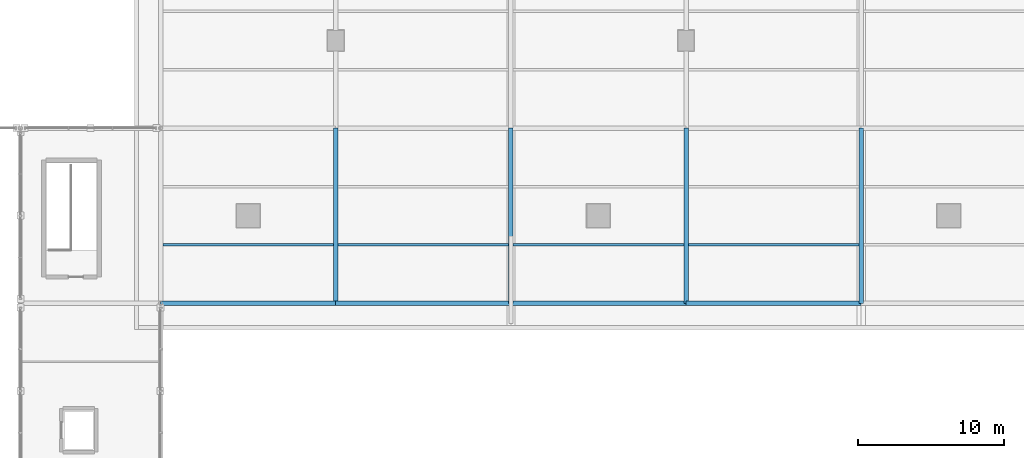
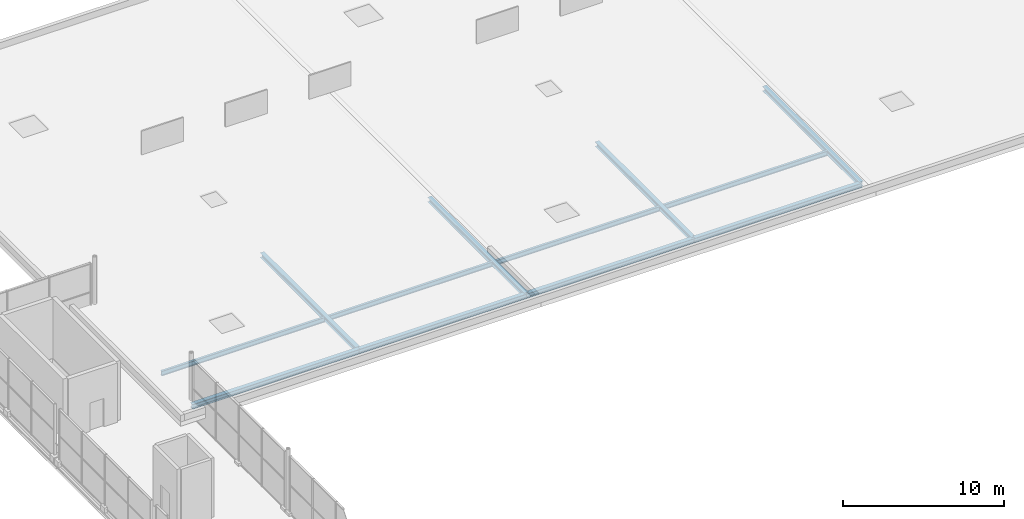
# One storey, part 94 of 159: 12 beams.
"""IFC4 building model written with IfcOpenShell, lengths in metres."""

import ifcopenshell
import ifcopenshell.guid

model = None  # the IFC model being written
_history = None  # IfcOwnerHistory: only IFC2X3 demands one
_inside = {}  # id of a spatial element -> (the spatial element, [elements in it])
_under = {}  # id of a project, library or spatial element -> (it, [spatial elements below it])
_declared = {}  # id of a project -> (the project, [libraries it declares])
_typed = {}  # id of a type object -> (the type object, [elements of that type])
_made_of = {}  # id of a material, layer set ... -> (it, [elements and type objects made of it])


def new_model(schema):
    """Start an empty IFC model of exactly this schema.

    Asked for "IFC4X3", IfcOpenShell would pick the latest addendum, in which some entities
    have other attributes; the version numbers below select the first issue.
    IFC2X3 requires an IfcOwnerHistory on every rooted entity: one is made here for all.
    """
    global model, _history
    if schema == "IFC4X3":
        model = ifcopenshell.file(schema_version=(4, 3, 0, 0))
    else:
        model = ifcopenshell.file(schema=schema)
    _inside.clear()
    _under.clear()
    _declared.clear()
    _typed.clear()
    _made_of.clear()
    _history = None
    if model.schema == "IFC2X3":
        org = make("IfcOrganization", Name="unknown")
        user = make(
            "IfcPersonAndOrganization",
            ThePerson=make("IfcPerson", FamilyName="unknown"),
            TheOrganization=org,
        )
        app = make(
            "IfcApplication",
            ApplicationDeveloper=org,
            Version="unknown",
            ApplicationFullName="unknown",
            ApplicationIdentifier="unknown",
        )
        _history = make(
            "IfcOwnerHistory",
            OwningUser=user,
            OwningApplication=app,
            ChangeAction="ADDED",
            CreationDate=0,
        )
    return model


def make(cls, **values):
    """One entity of the class cls with the attributes given. An attribute that is None is left unset."""
    return model.create_entity(
        cls, **{name: value for name, value in values.items() if value is not None}
    )


def rooted(cls, **values):
    """An entity with a GlobalId (a new one), such as an element, a storey or a relation."""
    return make(cls, GlobalId=ifcopenshell.guid.new(), OwnerHistory=_history, **values)


def si_unit(unit_type, name, prefix=None):
    """IfcSIUnit, for example si_unit("LENGTHUNIT", "METRE", prefix="MILLI")."""
    return make("IfcSIUnit", UnitType=unit_type, Prefix=prefix, Name=name)


def assignment(units):
    """IfcUnitAssignment: the units of a project."""
    return None if units is None else make("IfcUnitAssignment", Units=units)


def point(xyz):
    """IfcCartesianPoint."""
    return None if xyz is None else make("IfcCartesianPoint", Coordinates=xyz)


def direction(xyz):
    """IfcDirection."""
    return None if xyz is None else make("IfcDirection", DirectionRatios=xyz)


def frame(location, z_axis=None, x_axis=None):
    """IfcAxis2Placement3D, a coordinate frame: its origin and axes. An axis left out is left unset."""
    return make(
        "IfcAxis2Placement3D",
        Location=point(location),
        Axis=direction(z_axis),
        RefDirection=direction(x_axis),
    )


def frame_2d(location, x_axis=None):
    """IfcAxis2Placement2D, a coordinate frame in the plane: its origin and x axis."""
    return make(
        "IfcAxis2Placement2D", Location=point(location), RefDirection=direction(x_axis)
    )


def origin():
    """The frame at (0, 0, 0) with its axes left unset."""
    return frame((0.0, 0.0, 0.0))


def origin_2d():
    """The frame at (0, 0) in the plane with its x axis left unset."""
    return frame_2d((0.0, 0.0))


def place(relative_to, where):
    """IfcLocalPlacement: puts the frame where relative to a parent placement (None: the world)."""
    return make(
        "IfcLocalPlacement", PlacementRelTo=relative_to, RelativePlacement=where
    )


def context(
    kind, dimensions, precision=None, world=None, true_north=None, identifier=None
):
    """IfcGeometricRepresentationContext, for example the 3D "Model" context."""
    return make(
        "IfcGeometricRepresentationContext",
        ContextIdentifier=identifier,
        ContextType=kind,
        CoordinateSpaceDimension=dimensions,
        Precision=precision,
        WorldCoordinateSystem=world,
        TrueNorth=true_north,
    )


def subcontext(parent, identifier, kind, view, scale=None):
    """IfcGeometricRepresentationSubContext, for example "Body" below "Model"."""
    return make(
        "IfcGeometricRepresentationSubContext",
        ContextIdentifier=identifier,
        ContextType=kind,
        ParentContext=parent,
        TargetScale=scale,
        TargetView=view,
    )


def project(units=None, contexts=None):
    """IfcProject with its units and contexts."""
    return rooted(
        "IfcProject",
        Name="project",
        RepresentationContexts=contexts,
        UnitsInContext=assignment(units),
    )


def spatial(cls, under=None, at=None, **own):
    """A site, building, storey or space (cls), placed at a placement, below another one or the project."""
    s = rooted(cls, ObjectPlacement=at, **own)
    if under is not None:
        _under.setdefault(under.id(), (under, []))[1].append(s)
    return s


def profile(cls, at=None, kind="AREA", **sizes):
    """A parametric profile (cls). Its sizes go by their IFC names, for example OverallWidth=200.0."""
    return make(cls, ProfileType=kind, Position=at, **sizes)


def i_section(**sizes):
    """IfcIShapeProfileDef."""
    return profile("IfcIShapeProfileDef", **sizes)


def extrude(swept, where, along, depth):
    """IfcExtrudedAreaSolid: the profile swept, set in the frame where, extruded along a direction by depth."""
    return make(
        "IfcExtrudedAreaSolid",
        SweptArea=swept,
        Position=where,
        ExtrudedDirection=direction(along),
        Depth=depth,
    )


def shape(context_of_items, identifier, shape_type, items):
    """IfcShapeRepresentation: the items that make up one representation, for example the "Body"."""
    return make(
        "IfcShapeRepresentation",
        ContextOfItems=context_of_items,
        RepresentationIdentifier=identifier,
        RepresentationType=shape_type,
        Items=items,
    )


def material(Name=None, Category=None):
    """IfcMaterial."""
    return make("IfcMaterial", Name=Name, Category=Category)


def material_profile(
    of_material, cross_section, Name=None, Category=None, Priority=None
):
    """IfcMaterialProfile: a cross section and its material."""
    return make(
        "IfcMaterialProfile",
        Name=Name,
        Material=of_material,
        Profile=cross_section,
        Priority=Priority,
        Category=Category,
    )


def profile_set(profiles, Name=None, composite=None):
    """IfcMaterialProfileSet."""
    return make(
        "IfcMaterialProfileSet",
        Name=Name,
        MaterialProfiles=profiles,
        CompositeProfile=composite,
    )


def made_of(thing, what):
    """Note that an element or type object is made of a material, layer set ...; save() writes the relation."""
    if what is not None:
        _made_of.setdefault(what.id(), (what, []))[1].append(thing)
    return thing


def type_object(cls, material=None, **own):
    """A type object (cls), such as IfcWallType, which elements share."""
    return made_of(rooted(cls, **own), material)


def element(
    cls,
    number,
    at=None,
    inside=None,
    cuts=None,
    type_object=None,
    material=None,
    context=None,
    identifier="Body",
    shape_type=None,
    held_by="IfcProductDefinitionShape",
    body=None,
    shapes=None,
    **own,
):
    """One element of the class cls, such as IfcWall. Its Tag is "e" and its number.

    at: its placement. inside: the storey or other place that contains it. cuts: it is an
    opening in that element (IfcRelVoidsElement). A single representation is given by context,
    identifier, shape_type and body (its items); several are given by shapes. held_by: the class
    of the entity that holds the representations. save() writes the other relations.
    """
    e = rooted(cls, Tag="e%d" % number, ObjectPlacement=at, **own)
    if body is not None:
        shapes = [shape(context, identifier, shape_type, body)]
    if shapes is not None:
        e.Representation = make(held_by, Representations=shapes)
    if inside is not None:
        _inside.setdefault(inside.id(), (inside, []))[1].append(e)
    if cuts is not None:
        rooted(
            "IfcRelVoidsElement", RelatingBuildingElement=cuts, RelatedOpeningElement=e
        )
    if type_object is not None:
        _typed.setdefault(type_object.id(), (type_object, []))[1].append(e)
    return made_of(e, material)


def aggregate(whole, parts):
    """IfcRelAggregates: a whole, such as a stair, and the parts it consists of."""
    return rooted("IfcRelAggregates", RelatingObject=whole, RelatedObjects=parts)


def save(model, path):
    """Write the relations noted so far, then the file.

    IfcRelAggregates (storeys below a building ...), IfcRelContainedInSpatialStructure (elements
    in a storey), IfcRelDefinesByType, IfcRelAssociatesMaterial and IfcRelDeclares: one each for
    every whole, place, type object, material and project.
    """
    for whole, parts in _under.values():
        aggregate(whole, parts)
    for where, things in _inside.values():
        rooted(
            "IfcRelContainedInSpatialStructure",
            RelatedElements=things,
            RelatingStructure=where,
        )
    for kind, things in _typed.values():
        rooted("IfcRelDefinesByType", RelatedObjects=things, RelatingType=kind)
    for what, things in _made_of.values():
        rooted("IfcRelAssociatesMaterial", RelatedObjects=things, RelatingMaterial=what)
    for by, libraries in _declared.values():
        rooted("IfcRelDeclares", RelatingContext=by, RelatedDefinitions=libraries)
    model.write(path)


model = new_model("IFC4")

# Units and contexts
model_context = context("Model", 3, precision=1e-05, world=origin(), true_north=direction((0.0, 1.0)))
body_context = subcontext(model_context, "Body", "Model", "MODEL_VIEW")
ifc_project = project(units=[si_unit("LENGTHUNIT", "METRE"), si_unit("AREAUNIT", "SQUARE_METRE"), si_unit("VOLUMEUNIT", "CUBIC_METRE"), si_unit("PLANEANGLEUNIT", "RADIAN"), si_unit("MASSUNIT", "GRAM", prefix="KILO")], contexts=[model_context])

# Site, building, storey
site_placement = place(None, origin())
site = spatial("IfcSite", under=ifc_project, at=site_placement, CompositionType="ELEMENT")
building_placement = place(site_placement, origin())
building = spatial("IfcBuilding", under=site, at=building_placement, Name="Merenkruunu Market Hall", CompositionType="ELEMENT")
storey_placement = place(building_placement, frame((0.0, 0.0, 5.39990234375)))
storey = spatial("IfcBuildingStorey", under=building, at=storey_placement, Name="L01", CompositionType="ELEMENT", Elevation=5.39990234375)

# Beams
ifc_material = material(Name="Steel S355J2", Category="steel")
ifc_material_profile_1 = material_profile(ifc_material, i_section(OverallWidth=0.300048828125, OverallDepth=0.360107421875, WebThickness=0.012451171875, FlangeThickness=0.0224609375, FilletRadius=0.027099609375, at=origin_2d()), Name="HEB 360")
ifc_profile_set_1 = profile_set([ifc_material_profile_1], Name="Steel S355J2")
beam_type_1 = type_object("IfcBeamType", Name="Primary Floor Girder B04", PredefinedType="BEAM", material=ifc_profile_set_1)
for number, where, z_axis, x_axis, name in (
    (1, (76.800048828125, 87.60009765625, 0.72021484375), (1.0, 0.0, 0.0), (0.0, 1.0, 0.0), "BM-L01-B04-0961"),
    (2, (88.800048828125, 87.60009765625, 0.72021484375), (1.0, 0.0, 0.0), (0.0, 1.0, 0.0), "BM-L01-B04-0962"),
    (3, (100.800048828125, 87.60009765625, 0.72021484375), (1.0, 0.0, 0.0), (0.0, 1.0, 0.0), "BM-L01-B04-0963"),
    (4, (112.800048828125, 87.60009765625, 0.72021484375), (1.0, 0.0, 0.0), (0.0, 1.0, 0.0), "BM-L01-B04-0964"),
    (5, (88.800048828125, 87.60009765625, 0.72021484375), (0.0, 1.0, 0.0), (-1.0, 0.0, 0.0), "BM-L01-B04-0988"),
    (6, (100.800048828125, 87.60009765625, 0.72021484375), (0.0, 1.0, 0.0), (-1.0, 0.0, 0.0), "BM-L01-B04-0991"),
    (7, (112.800048828125, 87.60009765625, 0.72021484375), (0.0, 1.0, 0.0), (-1.0, 0.0, 0.0), "BM-L01-B04-0994"),
    (8, (124.800048828125, 87.60009765625, 0.72021484375), (0.0, 1.0, 0.0), (-1.0, 0.0, 0.0), "BM-L01-B04-0997"),
):
    element("IfcBeam", number, at=place(storey_placement, frame(where, z_axis=z_axis, x_axis=x_axis)), inside=storey, type_object=beam_type_1, Name=name, PredefinedType="BEAM", context=body_context, shape_type="SweptSolid", body=[
        extrude(i_section(OverallWidth=0.300048828125, OverallDepth=0.360107421875, WebThickness=0.012451171875, FlangeThickness=0.0224609375, FilletRadius=0.027099609375, at=origin_2d()), origin(), (0.0, 0.0, 1.0), 12.0),
    ])
ifc_material_profile_2 = material_profile(ifc_material, i_section(OverallWidth=0.169921875, OverallDepth=0.360107421875, WebThickness=0.008056640625, FlangeThickness=0.0126953125, FilletRadius=0.01806640625, at=origin_2d()), Name="IPE 360")
ifc_profile_set_2 = profile_set([ifc_material_profile_2], Name="Steel S355J2")
beam_type_2 = type_object("IfcBeamType", Name="Secondary Floor Joist J03", PredefinedType="JOIST", material=ifc_profile_set_2)
for number, where, z_axis, x_axis, name in (
    (9, (76.952880859375, 91.60009765625, 0.72021484375), (1.0, 0.0, 0.0), (0.0, 1.0, 0.0), "BM-L01-J03-1006"),
    (10, (88.952880859375, 91.60009765625, 0.72021484375), (1.0, 0.0, 0.0), (0.0, 1.0, 0.0), "BM-L01-J03-1012"),
    (11, (100.952880859375, 91.60009765625, 0.72021484375), (1.0, 0.0, 0.0), (0.0, 1.0, 0.0), "BM-L01-J03-1018"),
    (12, (112.952880859375, 91.60009765625, 0.72021484375), (1.0, 0.0, 0.0), (0.0, 1.0, 0.0), "BM-L01-J03-1024"),
):
    element("IfcBeam", number, at=place(storey_placement, frame(where, z_axis=z_axis, x_axis=x_axis)), inside=storey, type_object=beam_type_2, Name=name, PredefinedType="JOIST", context=body_context, shape_type="SweptSolid", body=[
        extrude(i_section(OverallWidth=0.169921875, OverallDepth=0.360107421875, WebThickness=0.008056640625, FlangeThickness=0.0126953125, FilletRadius=0.01806640625, at=origin_2d()), origin(), (0.0, 0.0, 1.0), 11.694091796875),
    ])

save(model, "model.ifc")
